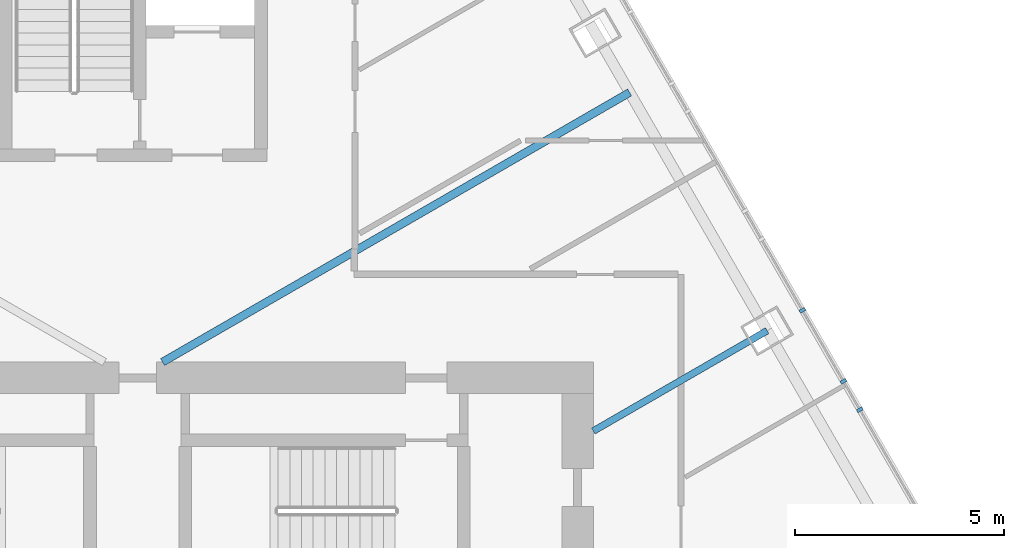
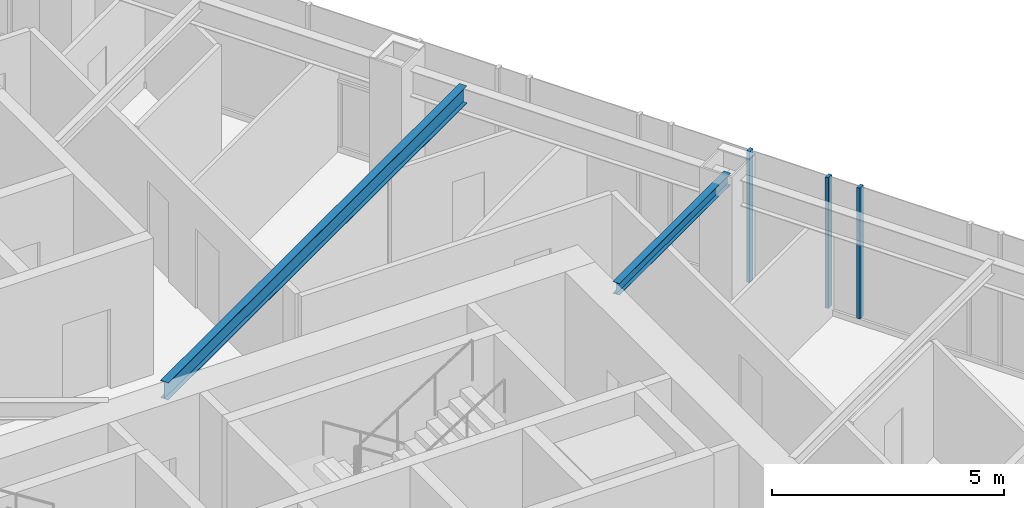
# One storey, part 8 of 24: 3 members, 2 beams, 1 element without a shape of its own.
"""IFC4 building model written with IfcOpenShell, lengths in metres."""

from ifc_helpers import new_model, si_unit, direction, frame, origin, origin_2d, place, context, subcontext, project, spatial, rectangle, i_section, extrude, material, layer, layer_set, material_profile, profile_set, type_object, element, aggregate, save


model = new_model("IFC4")

# Units and contexts
model_context = context("Model", 3, precision=1e-05, world=origin(), true_north=direction((0.0, 1.0)))
body_context = subcontext(model_context, "Body", "Model", "MODEL_VIEW")
ifc_project = project(units=[si_unit("LENGTHUNIT", "METRE"), si_unit("AREAUNIT", "SQUARE_METRE"), si_unit("VOLUMEUNIT", "CUBIC_METRE"), si_unit("PLANEANGLEUNIT", "RADIAN"), si_unit("MASSUNIT", "GRAM", prefix="KILO")], contexts=[model_context])

# Site, building, storey
site_placement = place(None, origin())
site = spatial("IfcSite", under=ifc_project, at=site_placement, CompositionType="ELEMENT")
building_placement = place(site_placement, origin())
building = spatial("IfcBuilding", under=site, at=building_placement, Name="Firuza Gate Tower and Library", CompositionType="ELEMENT")
storey_placement = place(building_placement, frame((0.0, 0.0, 237.699951171875)))
storey = spatial("IfcBuildingStorey", under=building, at=storey_placement, Name="L56", CompositionType="ELEMENT", Elevation=237.699951171875)

# Curtain wall, members
ifc_material_1 = material(Name="Aluminium 6063-T6", Category="aluminium")
ifc_layer = layer(ifc_material_1, 0.14990234375)
ifc_layer_set = layer_set([ifc_layer], Name="Unitised curtain wall, hotel")
curtain_wall_type = type_object("IfcCurtainWallType", Name="Unitised curtain wall, hotel", PredefinedType="NOTDEFINED", material=ifc_layer_set)
curtain_wall_placement = place(storey_placement, origin())
curtain_wall = element("IfcCurtainWall", 1, at=curtain_wall_placement, inside=storey, type_object=curtain_wall_type, Name="CW2 L56 E face", PredefinedType="NOTDEFINED")
ifc_material_2 = material(Name="Aluminium 6063-T6", Category="aluminium")
ifc_material_profile_1 = material_profile(ifc_material_2, rectangle(XDim=0.14990234375, YDim=0.080078125, at=origin_2d()))
ifc_profile_set_1 = profile_set([ifc_material_profile_1], Name="Aluminium 6063-T6")
member_type = type_object("IfcMemberType", Name="Curtain wall mullion 80x150", PredefinedType="MULLION", material=ifc_profile_set_1)
member_1_placement = place(storey_placement, frame((92.376708984375, 81.86083984375, 0.150146484375), z_axis=(0.0, 0.0, 1.0), x_axis=(-0.866025403784, -0.5, 0.0)))
member_1 = element("IfcMember", 2, at=member_1_placement, type_object=member_type, Name="Mullion", PredefinedType="MULLION", context=body_context, shape_type="SweptSolid", body=[
    extrude(rectangle(XDim=0.14990234375, YDim=0.080078125, at=origin_2d()), origin(), (0.0, 0.0, 1.0), 3.449951171875),
])
member_2_placement = place(storey_placement, frame((91.003173828125, 84.239501953125, 0.150146484375), z_axis=(0.0, 0.0, 1.0), x_axis=(-0.866025403784, -0.5, 0.0)))
member_2 = element("IfcMember", 3, at=member_2_placement, type_object=member_type, Name="Mullion", PredefinedType="MULLION", context=body_context, shape_type="SweptSolid", body=[
    extrude(rectangle(XDim=0.14990234375, YDim=0.080078125, at=origin_2d()), origin(), (0.0, 0.0, 1.0), 3.449951171875),
])
member_3_placement = place(storey_placement, frame((91.984130859375, 82.540771484375, 0.150146484375), z_axis=(0.0, 0.0, 1.0), x_axis=(-0.866025403784, -0.5, 0.0)))
member_3 = element("IfcMember", 4, at=member_3_placement, type_object=member_type, Name="Mullion", PredefinedType="MULLION", context=body_context, shape_type="SweptSolid", body=[
    extrude(rectangle(XDim=0.14990234375, YDim=0.080078125, at=origin_2d()), origin(), (0.0, 0.0, 1.0), 3.449951171875),
])
aggregate(curtain_wall, [member_1, member_2, member_3])

# Beams
ifc_material_3 = material(Name="Steel S355", Category="steel")
ifc_material_profile_2 = material_profile(ifc_material_3, i_section(OverallWidth=0.1650390625, OverallDepth=0.31005859375, WebThickness=0.005859375, FlangeThickness=0.009765625, at=origin_2d()))
ifc_profile_set_2 = profile_set([ifc_material_profile_2], Name="Steel S355")
beam_type_1 = type_object("IfcBeamType", Name="W310x39 Floor beam", PredefinedType="JOIST", material=ifc_profile_set_2)
beam_1_placement = place(storey_placement, frame((90.158935546875, 83.751953125, 3.445068359375), z_axis=(-0.866028966346, -0.499993829411, 0.0), x_axis=(0.499993829411, -0.866028966346, 0.0)))
element("IfcBeam", 5, at=beam_1_placement, inside=storey, type_object=beam_type_1, Name="Floor beam L56 s52", PredefinedType="JOIST", context=body_context, shape_type="SweptSolid", body=[
    extrude(i_section(OverallWidth=0.1650390625, OverallDepth=0.31005859375, WebThickness=0.005859375, FlangeThickness=0.009765625, at=origin_2d()), origin(), (0.0, 0.0, 1.0), 4.80224609375),
])
ifc_material_4 = material(Name="Steel S355", Category="steel")
ifc_material_profile_3 = material_profile(ifc_material_4, i_section(OverallWidth=0.18994140625, OverallDepth=0.45703125, WebThickness=0.009033203125, FlangeThickness=0.014404296875, at=origin_2d()))
ifc_profile_set_3 = profile_set([ifc_material_profile_3], Name="Steel S355")
beam_type_2 = type_object("IfcBeamType", Name="W460x74 Floor beam", PredefinedType="JOIST", material=ifc_profile_set_3)
beam_2_placement = place(storey_placement, frame((86.86865234375, 89.450927734375, 3.37158203125), z_axis=(-0.866020774712, -0.500008017704, 0.0), x_axis=(0.500008017704, -0.866020774712, 0.0)))
element("IfcBeam", 6, at=beam_2_placement, inside=storey, type_object=beam_type_2, Name="Floor beam L56 s53", PredefinedType="JOIST", context=body_context, shape_type="SweptSolid", body=[
    extrude(i_section(OverallWidth=0.18994140625, OverallDepth=0.45703125, WebThickness=0.009033203125, FlangeThickness=0.014404296875, at=origin_2d()), origin(), (0.0, 0.0, 1.0), 12.901611328125),
])

save(model, "model.ifc")
